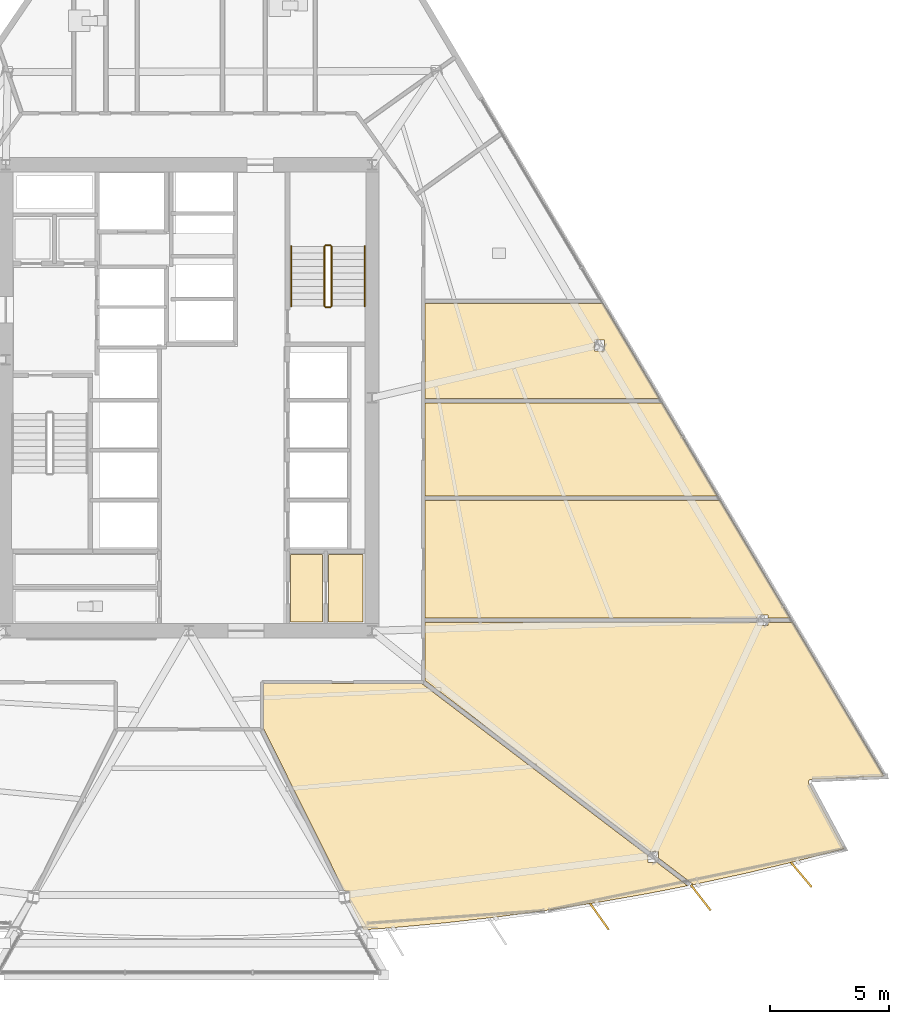
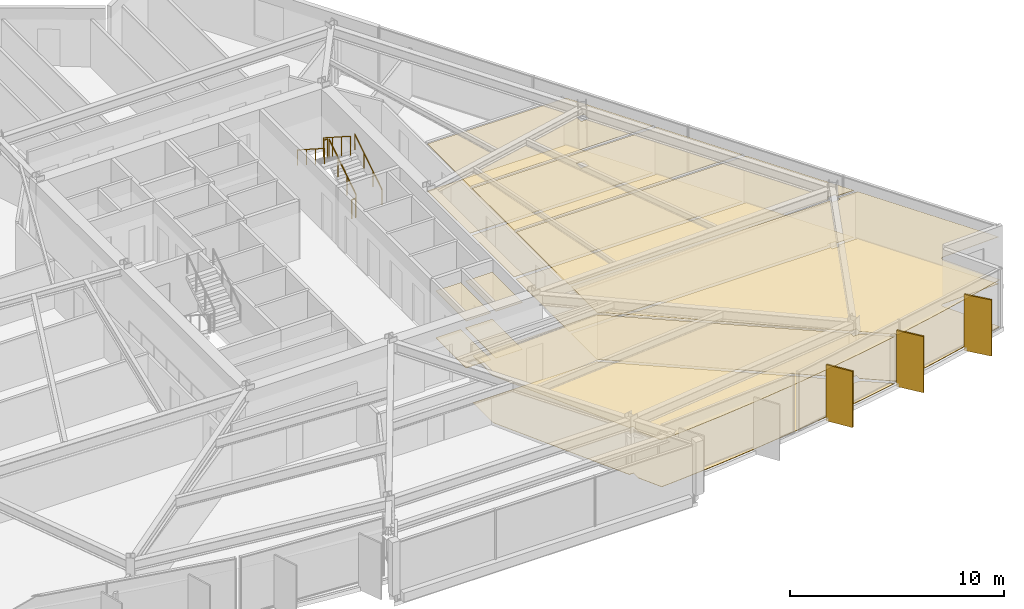
# One storey, part 14 of 16: 14 coverings, 6 railings, 3 shading devices.
"""IFC4 building model written with IfcOpenShell, lengths in metres."""

from ifc_helpers import new_model, si_unit, direction, frame, origin, origin_2d, place, context, subcontext, project, spatial, polyline, rectangle, circle, outline, extrude, material, layer, layer_set, type_object, element, save


model = new_model("IFC4")

# Units and contexts
model_context = context("Model", 3, precision=1e-05, world=origin(), true_north=direction((0.0, 1.0)))
body_context = subcontext(model_context, "Body", "Model", "MODEL_VIEW")
ifc_project = project(units=[si_unit("LENGTHUNIT", "METRE"), si_unit("AREAUNIT", "SQUARE_METRE"), si_unit("VOLUMEUNIT", "CUBIC_METRE"), si_unit("PLANEANGLEUNIT", "RADIAN"), si_unit("MASSUNIT", "GRAM", prefix="KILO")], contexts=[model_context])

# Site, building, storey
site_placement = place(None, origin())
site = spatial("IfcSite", under=ifc_project, at=site_placement, CompositionType="ELEMENT")
building_placement = place(site_placement, origin())
building = spatial("IfcBuilding", under=site, at=building_placement, Name="Savorim Split Tower", CompositionType="ELEMENT")
storey_placement = place(building_placement, frame((0.0, 0.0, 66.0)))
storey = spatial("IfcBuildingStorey", under=building, at=storey_placement, Name="L17", CompositionType="ELEMENT", Elevation=66.0)

# Coverings
ifc_material_1 = material(Name="Mineral Fibre Acoustic Ceiling")
ifc_layer_1 = layer(ifc_material_1, 0.02490234375)
ifc_layer_set_1 = layer_set([ifc_layer_1], Name="COV-CEIL-25")
covering_type_1 = type_object("IfcCoveringType", Name="COV-CEIL-25", PredefinedType="CEILING", material=ifc_layer_set_1)
covering_1_placement = place(storey_placement, frame((0.0, 0.0, 2.669921875)))
element("IfcCovering", 1, at=covering_1_placement, inside=storey, type_object=covering_type_1, Name="L17 Vending Pantry Acoustic Ceiling", PredefinedType="CEILING", context=body_context, shape_type="SweptSolid", body=[
    extrude(outline(polyline([(4.280029296875, -6.179931640625), (4.280029296875, -9.02001953125), (5.6201171875, -9.02001953125), (5.6201171875, -6.179931640625), (4.280029296875, -6.179931640625)])), origin(), (0.0, 0.0, 1.0), 0.025146484375),
])
covering_2_placement = place(storey_placement, frame((0.0, 0.0, 2.669921875)))
element("IfcCovering", 2, at=covering_2_placement, inside=storey, type_object=covering_type_1, Name="L17 Recycling Chute Room Acoustic Ceiling", PredefinedType="CEILING", context=body_context, shape_type="SweptSolid", body=[
    extrude(outline(polyline([(5.8798828125, -6.179931640625), (5.8798828125, -9.02001953125), (7.320068359375, -9.02001953125), (7.320068359375, -6.179931640625), (5.8798828125, -6.179931640625)])), origin(), (0.0, 0.0, 1.0), 0.025146484375),
])
covering_3_placement = place(storey_placement, frame((0.0, 0.0, 2.669921875)))
element("IfcCovering", 3, at=covering_3_placement, inside=storey, type_object=covering_type_1, Name="L17 Maker Workshop Acoustic Ceiling", PredefinedType="CEILING", context=body_context, shape_type="SweptSolid", body=[
    extrude(outline(polyline([(12.898193359375, -21.4375), (15.0341796875, -21.15185546875), (17.163818359375, -20.822265625), (19.286376953125, -20.44921875), (20.968505859375, -20.1181640625), (19.672607421875, -19.132080078125), (19.314697265625, -19.132080078125), (19.314697265625, -18.85986328125), (9.83056640625, -11.644287109375), (9.797119140625, -11.618896484375), (9.793701171875, -11.619384765625), (9.780029296875, -11.6201171875), (3.139892578125, -11.6201171875), (3.139892578125, -13.449951171875), (3.139404296875, -13.463623046875), (3.13720703125, -13.477294921875), (3.134033203125, -13.490478515625), (3.1328125, -13.494140625), (6.538818359375, -20.344482421875), (6.76171875, -20.344482421875), (6.76171875, -20.79296875), (7.3046875, -21.88525390625), (7.34619140625, -21.968505859375), (8.610595703125, -21.877685546875), (10.756591796875, -21.6796875), (12.898193359375, -21.4375)])), origin(), (0.0, 0.0, 1.0), 0.025146484375),
])
covering_4_placement = place(storey_placement, frame((0.0, 0.0, 2.669921875)))
element("IfcCovering", 4, at=covering_4_placement, inside=storey, type_object=covering_type_1, Name="L17 Co-Working Commons Acoustic Ceiling", PredefinedType="CEILING", context=body_context, shape_type="SweptSolid", body=[
    extrude(outline(polyline([(26.14453125, -15.643798828125), (26.15576171875, -15.6416015625), (26.167236328125, -15.640380859375), (29.23046875, -15.51025390625), (25.36669921875, -9.0126953125), (25.36669921875, -9.0458984375), (24.349365234375, -9.0458984375), (24.349365234375, -9.17822265625), (23.917236328125, -9.17822265625), (23.917236328125, -9.0458984375), (9.919921875, -9.0458984375), (9.919921875, -11.4736328125), (19.388427734375, -18.67724609375), (19.74658203125, -18.67724609375), (19.74658203125, -18.94970703125), (21.097412109375, -19.9775390625), (21.173095703125, -20.034912109375), (21.134765625, -20.08544921875), (21.40087890625, -20.032958984375), (23.50634765625, -19.573486328125), (25.601806640625, -19.071044921875), (27.54052734375, -18.564208984375), (26.066650390625, -15.817138671875), (26.061767578125, -15.806640625), (26.057861328125, -15.7958984375), (26.054931640625, -15.78466796875), (26.052978515625, -15.773193359375), (26.052490234375, -15.76171875), (26.052734375, -15.750244140625), (26.054443359375, -15.73876953125), (26.056884765625, -15.7275390625), (26.060791015625, -15.716552734375), (26.0654296875, -15.7060546875), (26.071044921875, -15.696044921875), (26.077880859375, -15.6865234375), (26.085205078125, -15.677978515625), (26.093505859375, -15.669921875), (26.102783203125, -15.66259765625), (26.1123046875, -15.656494140625), (26.122802734375, -15.651123046875), (26.13330078125, -15.64697265625), (26.14453125, -15.643798828125)])), origin(), (0.0, 0.0, 1.0), 0.025146484375),
])
covering_5_placement = place(storey_placement, frame((0.0, 0.0, 2.669921875)))
element("IfcCovering", 5, at=covering_5_placement, inside=storey, type_object=covering_type_1, Name="L17 Maker Workshop Acoustic Ceiling", PredefinedType="CEILING", context=body_context, shape_type="SweptSolid", body=[
    extrude(outline(polyline([(24.349365234375, -8.723388671875), (24.349365234375, -8.855712890625), (25.271728515625, -8.855712890625), (25.2734375, -8.855712890625), (22.33642578125, -3.91650390625), (9.919921875, -3.91650390625), (9.919921875, -8.855712890625), (23.917236328125, -8.855712890625), (23.917236328125, -8.723388671875), (24.349365234375, -8.723388671875)])), origin(), (0.0, 0.0, 1.0), 0.025146484375),
])
covering_6_placement = place(storey_placement, frame((0.0, 0.0, 2.669921875)))
element("IfcCovering", 6, at=covering_6_placement, inside=storey, type_object=covering_type_1, Name="L17 Communal Lounge Acoustic Ceiling", PredefinedType="CEILING", context=body_context, shape_type="SweptSolid", body=[
    extrude(outline(polyline([(22.223388671875, -3.7265625), (19.895263671875, 0.18896484375), (9.919921875, 0.18896484375), (9.919921875, -3.7265625), (22.223388671875, -3.7265625)])), origin(), (0.0, 0.0, 1.0), 0.025146484375),
])
covering_7_placement = place(storey_placement, frame((0.0, 0.0, 2.669921875)))
element("IfcCovering", 7, at=covering_7_placement, inside=storey, type_object=covering_type_1, Name="L17 Maker Workshop Acoustic Ceiling", PredefinedType="CEILING", context=body_context, shape_type="SweptSolid", body=[
    extrude(outline(polyline([(19.7822265625, 0.37890625), (17.411865234375, 4.365478515625), (9.919921875, 4.365478515625), (9.919921875, 0.37890625), (19.7822265625, 0.37890625)]), holes=[polyline([(17.482666015625, 2.36962890625), (17.482666015625, 2.82470703125), (17.050537109375, 2.82470703125), (17.050537109375, 2.36962890625), (17.482666015625, 2.36962890625)])]), origin(), (0.0, 0.0, 1.0), 0.025146484375),
])
ifc_material_2 = material(Name="Porcelain Stoneware Flooring", Category="masonry")
ifc_layer_2 = layer(ifc_material_2, 0.02001953125)
ifc_layer_set_2 = layer_set([ifc_layer_2], Name="COV-FLOR-20")
covering_type_2 = type_object("IfcCoveringType", Name="COV-FLOR-20", PredefinedType="FLOORING", material=ifc_layer_set_2)
covering_8_placement = place(storey_placement, origin())
element("IfcCovering", 8, at=covering_8_placement, inside=storey, type_object=covering_type_2, Name="L17 Vending Pantry Porcelain Flooring", PredefinedType="FLOORING", context=body_context, shape_type="SweptSolid", body=[
    extrude(outline(polyline([(4.280029296875, -6.179931640625), (4.280029296875, -9.02001953125), (5.6201171875, -9.02001953125), (5.6201171875, -6.179931640625), (4.280029296875, -6.179931640625)])), origin(), (0.0, 0.0, 1.0), 0.02001953125),
])
covering_9_placement = place(storey_placement, origin())
element("IfcCovering", 9, at=covering_9_placement, inside=storey, type_object=covering_type_2, Name="L17 Recycling Chute Room Porcelain Flooring", PredefinedType="FLOORING", context=body_context, shape_type="SweptSolid", body=[
    extrude(outline(polyline([(5.8798828125, -6.179931640625), (5.8798828125, -9.02001953125), (7.320068359375, -9.02001953125), (7.320068359375, -6.179931640625), (5.8798828125, -6.179931640625)])), origin(), (0.0, 0.0, 1.0), 0.02001953125),
])
covering_10_placement = place(storey_placement, origin())
element("IfcCovering", 10, at=covering_10_placement, inside=storey, type_object=covering_type_2, Name="L17 Maker Workshop Porcelain Flooring", PredefinedType="FLOORING", context=body_context, shape_type="SweptSolid", body=[
    extrude(outline(polyline([(12.898193359375, -21.4375), (15.0341796875, -21.15185546875), (17.163818359375, -20.822265625), (19.286376953125, -20.44921875), (20.968505859375, -20.1181640625), (19.672607421875, -19.132080078125), (19.314697265625, -19.132080078125), (19.314697265625, -18.85986328125), (9.83056640625, -11.644287109375), (9.797119140625, -11.618896484375), (9.793701171875, -11.619384765625), (9.780029296875, -11.6201171875), (3.139892578125, -11.6201171875), (3.139892578125, -13.449951171875), (3.139404296875, -13.463623046875), (3.13720703125, -13.477294921875), (3.134033203125, -13.490478515625), (3.1328125, -13.494140625), (6.538818359375, -20.344482421875), (6.76171875, -20.344482421875), (6.76171875, -20.79296875), (7.3046875, -21.88525390625), (7.34619140625, -21.968505859375), (8.610595703125, -21.877685546875), (10.756591796875, -21.6796875), (12.898193359375, -21.4375)])), origin(), (0.0, 0.0, 1.0), 0.02001953125),
])
covering_11_placement = place(storey_placement, origin())
element("IfcCovering", 11, at=covering_11_placement, inside=storey, type_object=covering_type_2, Name="L17 Co-Working Commons Porcelain Flooring", PredefinedType="FLOORING", context=body_context, shape_type="SweptSolid", body=[
    extrude(outline(polyline([(26.14453125, -15.643798828125), (26.15576171875, -15.6416015625), (26.167236328125, -15.640380859375), (29.23046875, -15.51025390625), (25.36669921875, -9.0126953125), (25.36669921875, -9.0458984375), (24.349365234375, -9.0458984375), (24.349365234375, -9.17822265625), (23.917236328125, -9.17822265625), (23.917236328125, -9.0458984375), (9.919921875, -9.0458984375), (9.919921875, -11.4736328125), (19.388427734375, -18.67724609375), (19.74658203125, -18.67724609375), (19.74658203125, -18.94970703125), (21.097412109375, -19.9775390625), (21.173095703125, -20.034912109375), (21.134765625, -20.08544921875), (21.40087890625, -20.032958984375), (23.50634765625, -19.573486328125), (25.601806640625, -19.071044921875), (27.54052734375, -18.564208984375), (26.066650390625, -15.817138671875), (26.061767578125, -15.806640625), (26.057861328125, -15.7958984375), (26.054931640625, -15.78466796875), (26.052978515625, -15.773193359375), (26.052490234375, -15.76171875), (26.052734375, -15.750244140625), (26.054443359375, -15.73876953125), (26.056884765625, -15.7275390625), (26.060791015625, -15.716552734375), (26.0654296875, -15.7060546875), (26.071044921875, -15.696044921875), (26.077880859375, -15.6865234375), (26.085205078125, -15.677978515625), (26.093505859375, -15.669921875), (26.102783203125, -15.66259765625), (26.1123046875, -15.656494140625), (26.122802734375, -15.651123046875), (26.13330078125, -15.64697265625), (26.14453125, -15.643798828125)])), origin(), (0.0, 0.0, 1.0), 0.02001953125),
])
covering_12_placement = place(storey_placement, origin())
element("IfcCovering", 12, at=covering_12_placement, inside=storey, type_object=covering_type_2, Name="L17 Maker Workshop Porcelain Flooring", PredefinedType="FLOORING", context=body_context, shape_type="SweptSolid", body=[
    extrude(outline(polyline([(24.349365234375, -8.723388671875), (24.349365234375, -8.855712890625), (25.271728515625, -8.855712890625), (25.2734375, -8.855712890625), (22.33642578125, -3.91650390625), (9.919921875, -3.91650390625), (9.919921875, -8.855712890625), (23.917236328125, -8.855712890625), (23.917236328125, -8.723388671875), (24.349365234375, -8.723388671875)])), origin(), (0.0, 0.0, 1.0), 0.02001953125),
])
covering_13_placement = place(storey_placement, origin())
element("IfcCovering", 13, at=covering_13_placement, inside=storey, type_object=covering_type_2, Name="L17 Communal Lounge Porcelain Flooring", PredefinedType="FLOORING", context=body_context, shape_type="SweptSolid", body=[
    extrude(outline(polyline([(22.223388671875, -3.7265625), (19.895263671875, 0.18896484375), (9.919921875, 0.18896484375), (9.919921875, -3.7265625), (22.223388671875, -3.7265625)])), origin(), (0.0, 0.0, 1.0), 0.02001953125),
])
covering_14_placement = place(storey_placement, origin())
element("IfcCovering", 14, at=covering_14_placement, inside=storey, type_object=covering_type_2, Name="L17 Maker Workshop Porcelain Flooring", PredefinedType="FLOORING", context=body_context, shape_type="SweptSolid", body=[
    extrude(outline(polyline([(19.7822265625, 0.37890625), (17.411865234375, 4.365478515625), (9.919921875, 4.365478515625), (9.919921875, 0.37890625), (19.7822265625, 0.37890625)]), holes=[polyline([(17.482666015625, 2.36962890625), (17.482666015625, 2.82470703125), (17.050537109375, 2.82470703125), (17.050537109375, 2.36962890625), (17.482666015625, 2.36962890625)])]), origin(), (0.0, 0.0, 1.0), 0.02001953125),
])

# Railings
ifc_material_3 = material(Name="Galvanised Painted Steel Balustrade", Category="steel")
railing_type_1 = type_object("IfcRailingType", Name="RLG-HR-900", PredefinedType="HANDRAIL", material=ifc_material_3)
railing_1_placement = place(storey_placement, frame((7.39990234375, 4.25, 0.179931640625)))
element("IfcRailing", 15, at=railing_1_placement, inside=storey, type_object=railing_type_1, Name="L17 ST-2 stair handrail 1", PredefinedType="HANDRAIL", context=body_context, shape_type="SweptSolid", body=[
    extrude(circle(Radius=0.02392578125, at=origin_2d()), frame((0.0, 0.0, 0.8759765625), z_axis=(0.0, 0.841162588446, 0.540782303519), x_axis=(-1.0, 0.0, 0.0)), (0.0, 0.0, 1.0), 2.995849609375),
    extrude(circle(Radius=0.02099609375, at=origin_2d()), origin(), (0.0, 0.0, 1.0), 0.851806640625),
    extrude(circle(Radius=0.02099609375, at=origin_2d()), frame((0.0, 0.840087890625, 0.5400390625)), (0.0, 0.0, 1.0), 0.851806640625),
    extrude(circle(Radius=0.02099609375, at=origin_2d()), frame((0.0, 1.679931640625, 1.080078125)), (0.0, 0.0, 1.0), 0.851806640625),
    extrude(circle(Radius=0.02099609375, at=origin_2d()), frame((0.0, 2.52001953125, 1.6201171875)), (0.0, 0.0, 1.0), 0.851806640625),
])
railing_2_placement = place(storey_placement, frame((4.300048828125, 6.77001953125, 1.97998046875)))
element("IfcRailing", 16, at=railing_2_placement, inside=storey, type_object=railing_type_1, Name="L17 ST-2 stair handrail 2", PredefinedType="HANDRAIL", context=body_context, shape_type="SweptSolid", body=[
    extrude(circle(Radius=0.02392578125, at=origin_2d()), frame((0.0, 0.0, 0.8759765625), z_axis=(0.0, -0.841162588446, 0.540782303519), x_axis=(1.0, 0.0, 0.0)), (0.0, 0.0, 1.0), 2.995849609375),
    extrude(circle(Radius=0.02099609375, at=origin_2d()), origin(), (0.0, 0.0, 1.0), 0.851806640625),
    extrude(circle(Radius=0.02099609375, at=origin_2d()), frame((0.0, -0.840087890625, 0.5400390625)), (0.0, 0.0, 1.0), 0.851806640625),
    extrude(circle(Radius=0.02099609375, at=origin_2d()), frame((0.0, -1.679931640625, 1.080078125)), (0.0, 0.0, 1.0), 0.851806640625),
    extrude(circle(Radius=0.02099609375, at=origin_2d()), frame((0.0, -2.52001953125, 1.6201171875)), (0.0, 0.0, 1.0), 0.851806640625),
])
railing_type_2 = type_object("IfcRailingType", Name="RLG-STG-1100", PredefinedType="BALUSTRADE", material=ifc_material_3)
railing_3_placement = place(storey_placement, frame((6.0, 4.25, 0.179931640625)))
element("IfcRailing", 17, at=railing_3_placement, inside=storey, type_object=railing_type_2, Name="L17 ST-2 stair guard 1", PredefinedType="BALUSTRADE", context=body_context, shape_type="SweptSolid", body=[
    extrude(circle(Radius=0.02392578125, at=origin_2d()), frame((0.0, 0.0, 1.076171875), z_axis=(0.0, 0.841162588446, 0.540782303519), x_axis=(-1.0, 0.0, 0.0)), (0.0, 0.0, 1.0), 2.995849609375),
    extrude(circle(Radius=0.02099609375, at=origin_2d()), origin(), (0.0, 0.0, 1.0), 1.052001953125),
    extrude(circle(Radius=0.02099609375, at=origin_2d()), frame((0.0, 0.840087890625, 0.5400390625)), (0.0, 0.0, 1.0), 1.052001953125),
    extrude(circle(Radius=0.02099609375, at=origin_2d()), frame((0.0, 1.679931640625, 1.080078125)), (0.0, 0.0, 1.0), 1.052001953125),
    extrude(circle(Radius=0.02099609375, at=origin_2d()), frame((0.0, 2.52001953125, 1.6201171875)), (0.0, 0.0, 1.0), 1.052001953125),
])
railing_4_placement = place(storey_placement, frame((5.949951171875, 6.820068359375, 1.800048828125)))
element("IfcRailing", 18, at=railing_4_placement, inside=storey, type_object=railing_type_2, Name="L17 ST-2 stair guard 2", PredefinedType="BALUSTRADE", context=body_context, shape_type="SweptSolid", body=[
    extrude(circle(Radius=0.02392578125, at=origin_2d()), frame((0.0, 0.0, 1.076171875), z_axis=(-1.0, 0.0, 0.0), x_axis=(0.0, -1.0, 0.0)), (0.0, 0.0, 1.0), 0.199951171875),
    extrude(circle(Radius=0.02099609375, at=origin_2d()), origin(), (0.0, 0.0, 1.0), 1.052001953125),
    extrude(circle(Radius=0.02099609375, at=origin_2d()), frame((-0.199951171875, 0.0, 0.0)), (0.0, 0.0, 1.0), 1.052001953125),
])
railing_5_placement = place(storey_placement, frame((5.699951171875, 6.77001953125, 1.97998046875)))
element("IfcRailing", 19, at=railing_5_placement, inside=storey, type_object=railing_type_2, Name="L17 ST-2 stair guard 3", PredefinedType="BALUSTRADE", context=body_context, shape_type="SweptSolid", body=[
    extrude(circle(Radius=0.02392578125, at=origin_2d()), frame((0.0, 0.0, 1.076171875), z_axis=(0.0, -0.841162588446, 0.540782303519), x_axis=(1.0, 0.0, 0.0)), (0.0, 0.0, 1.0), 2.995849609375),
    extrude(circle(Radius=0.02099609375, at=origin_2d()), origin(), (0.0, 0.0, 1.0), 1.052001953125),
    extrude(circle(Radius=0.02099609375, at=origin_2d()), frame((0.0, -0.840087890625, 0.5400390625)), (0.0, 0.0, 1.0), 1.052001953125),
    extrude(circle(Radius=0.02099609375, at=origin_2d()), frame((0.0, -1.679931640625, 1.080078125)), (0.0, 0.0, 1.0), 1.052001953125),
    extrude(circle(Radius=0.02099609375, at=origin_2d()), frame((0.0, -2.52001953125, 1.6201171875)), (0.0, 0.0, 1.0), 1.052001953125),
])
railing_6_placement = place(storey_placement, frame((5.949951171875, 4.199951171875, 0.0)))
element("IfcRailing", 20, at=railing_6_placement, inside=storey, type_object=railing_type_2, Name="L17 ST-2 stair guard 4", PredefinedType="BALUSTRADE", context=body_context, shape_type="SweptSolid", body=[
    extrude(circle(Radius=0.02392578125, at=origin_2d()), frame((0.0, 0.0, 1.076171875), z_axis=(-1.0, 0.0, 0.0), x_axis=(0.0, -1.0, 0.0)), (0.0, 0.0, 1.0), 0.199951171875),
    extrude(circle(Radius=0.02099609375, at=origin_2d()), origin(), (0.0, 0.0, 1.0), 1.052001953125),
    extrude(circle(Radius=0.02099609375, at=origin_2d()), frame((-0.199951171875, 0.0, 0.0)), (0.0, 0.0, 1.0), 1.052001953125),
])

# Shading devices
ifc_material_4 = material(Name="Terracotta Ceramic-Coated Aluminium Fin", Category="masonry")
shading_device_type = type_object("IfcShadingDeviceType", Name="SHD-FIN-1360", PredefinedType="USERDEFINED", material=ifc_material_4)
for number, where, z_axis, x_axis, name in (
    (21, (17.260986328125, -21.410400390625, -0.2001953125), (0.0, 0.0, 1.0), (0.578993757737, -0.815331974414, 0.0), "L17 Sawtooth Shading Fin 11"),
    (22, (21.52197265625, -20.61669921875, -0.2001953125), (0.0, 0.0, 1.0), (0.611868076908, -0.790959832394, 0.0), "L17 Sawtooth Shading Fin 12"),
    (23, (25.746826171875, -19.649169921875, -0.2001953125), (0.0, 0.0, 1.0), (0.643719022682, -0.765261928909, 0.0), "L17 Sawtooth Shading Fin 13"),
):
    element("IfcShadingDevice", number, at=place(storey_placement, frame(where, z_axis=z_axis, x_axis=x_axis)), inside=storey, type_object=shading_device_type, Name=name, ObjectType="FIN", PredefinedType="USERDEFINED", context=body_context, shape_type="SweptSolid", body=[
        extrude(rectangle(XDim=1.360107421875, YDim=0.080078125, at=origin_2d()), origin(), (0.0, 0.0, 1.0), 3.199951171875),
    ])

save(model, "model.ifc")
